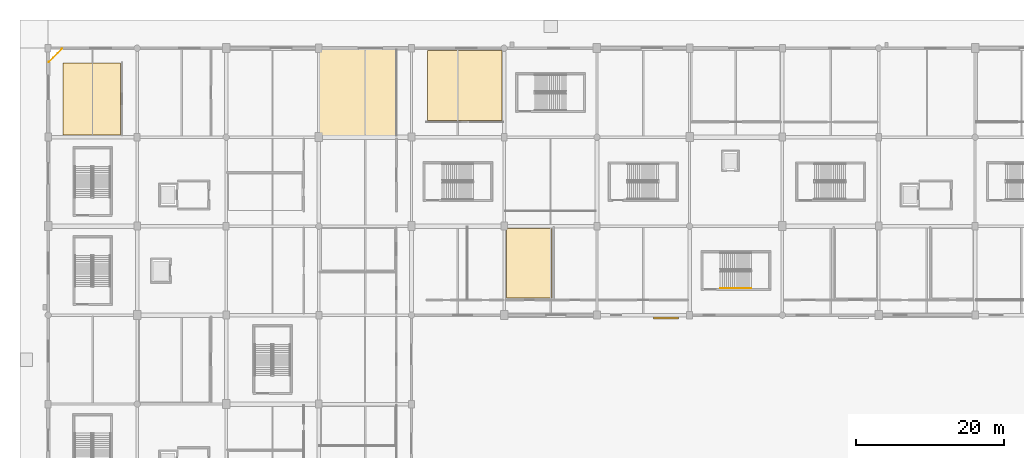
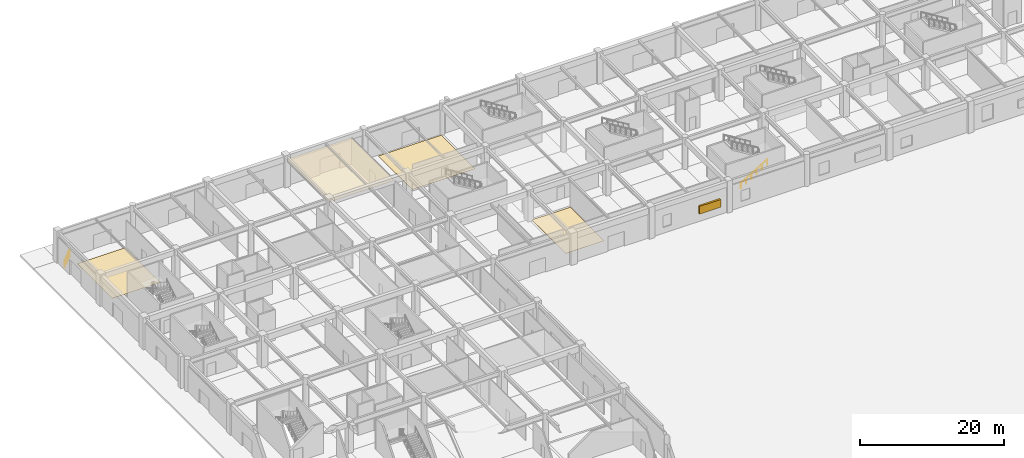
# One storey, part 62 of 69: 4 coverings, 2 railings, 1 shading device.
"""IFC4 building model written with IfcOpenShell, lengths in metres."""

from ifc_helpers import new_model, si_unit, direction, frame, origin, origin_2d, place, context, subcontext, project, spatial, polyline, rectangle, circle, outline, extrude, material, layer, layer_set, type_object, element, save


model = new_model("IFC4")

# Units and contexts
model_context = context("Model", 3, precision=1e-05, world=origin(), true_north=direction((0.0, 1.0)))
body_context = subcontext(model_context, "Body", "Model", "MODEL_VIEW")
ifc_project = project(units=[si_unit("LENGTHUNIT", "METRE"), si_unit("AREAUNIT", "SQUARE_METRE"), si_unit("VOLUMEUNIT", "CUBIC_METRE"), si_unit("PLANEANGLEUNIT", "RADIAN"), si_unit("MASSUNIT", "GRAM", prefix="KILO")], contexts=[model_context])

# Site, building, storey
site_placement = place(None, origin())
site = spatial("IfcSite", under=ifc_project, at=site_placement, CompositionType="ELEMENT")
building_placement = place(site_placement, origin())
building = spatial("IfcBuilding", under=site, at=building_placement, Name="Kazenohara Klinker Stadium", CompositionType="ELEMENT")
storey_placement = place(building_placement, origin())
storey = spatial("IfcBuildingStorey", under=building, at=storey_placement, Name="L00", CompositionType="ELEMENT", Elevation=0.0)

# Coverings
ifc_material_1 = material(Name="Perforated acoustic mineral-fibre ceiling tile", Category="gypsum")
ifc_layer_1 = layer(ifc_material_1, 0.030029296875)
ifc_layer_set_1 = layer_set([ifc_layer_1], Name="Perforated acoustic mineral-fibre ceiling tile")
covering_type_1 = type_object("IfcCoveringType", Name="COV-CEIL-01", PredefinedType="CEILING", material=ifc_layer_set_1)
covering_1_placement = place(storey_placement, frame((0.0, 0.0, 4.35009765625)))
element("IfcCovering", 1, at=covering_1_placement, inside=storey, type_object=covering_type_1, Name="Suspended acoustic ceiling CL01 Spectator First-Aid Medical Clinic L00-0313A", PredefinedType="CEILING", context=body_context, shape_type="SweptSolid", body=[
    extrude(outline(polyline([(36.56005859375, 156.0400390625), (46.989990234375, 156.0400390625), (46.989990234375, 167.9599609375), (36.56005859375, 167.9599609375), (36.56005859375, 156.0400390625)])), origin(), (0.0, 0.0, 1.0), 0.02978515625),
])
ifc_material_2 = material(Name="Slip-resistant honed basalt terrazzo flooring", Category="masonry")
ifc_layer_2 = layer(ifc_material_2, 0.02001953125)
ifc_layer_set_2 = layer_set([ifc_layer_2], Name="Slip-resistant honed basalt terrazzo flooring")
covering_type_2 = type_object("IfcCoveringType", Name="COV-FLR-01", PredefinedType="FLOORING", material=ifc_layer_set_2)
covering_2_placement = place(storey_placement, origin())
element("IfcCovering", 2, at=covering_2_placement, inside=storey, type_object=covering_type_2, Name="Interior floor finish FL01 Supporter Merchandising Retail Shop L00-0511A", PredefinedType="FLOORING", context=body_context, shape_type="SweptSolid", body=[
    extrude(outline(polyline([(61.81005859375, 134.280029296875), (67.9462890625, 134.280029296875), (67.9462890625, 143.669921875), (61.81005859375, 143.669921875), (61.81005859375, 134.280029296875)])), origin(), (0.0, 0.0, 1.0), 0.02001953125),
])
ifc_material_3 = material(Name="Cushioned EPDM sports rubber flooring", Category="rubber")
ifc_layer_3 = layer(ifc_material_3, 0.014892578125)
ifc_layer_set_3 = layer_set([ifc_layer_3], Name="Cushioned EPDM sports rubber flooring")
covering_type_3 = type_object("IfcCoveringType", Name="COV-FLR-02", PredefinedType="FLOORING", material=ifc_layer_set_3)
covering_3_placement = place(storey_placement, origin())
element("IfcCovering", 3, at=covering_3_placement, inside=storey, type_object=covering_type_3, Name="Interior floor finish FL02 Civic Stadium Heritage Museum Exhibition Gallery L00-0013A", PredefinedType="FLOORING", context=body_context, shape_type="SweptSolid", body=[
    extrude(outline(polyline([(2.0, 156.31005859375), (9.719970703125, 156.31005859375), (9.719970703125, 166.0), (2.0, 166.0), (2.0, 156.31005859375)])), origin(), (0.0, 0.0, 1.0), 0.014892578125),
])
covering_4_placement = place(storey_placement, origin())
element("IfcCovering", 4, at=covering_4_placement, inside=storey, type_object=covering_type_3, Name="Interior floor finish FL02 Supporter Merchandising Retail Shop L00-0413A", PredefinedType="FLOORING", context=body_context, shape_type="SweptSolid", body=[
    extrude(outline(polyline([(51.1201171875, 158.280029296875), (61.18994140625, 158.280029296875), (61.18994140625, 167.669921875), (51.1201171875, 167.669921875), (51.1201171875, 158.280029296875)])), origin(), (0.0, 0.0, 1.0), 0.014892578125),
])

# Railings
ifc_material_4 = material(Name="Galvanised powder-coated steel guardrail", Category="steel")
ifc_layer_4 = layer(ifc_material_4, 0.070068359375)
ifc_layer_set_4 = layer_set([ifc_layer_4], Name="Galvanised powder-coated steel guardrail")
railing_type_1 = type_object("IfcRailingType", Name="RL-GRD-1150", PredefinedType="GUARDRAIL", material=ifc_layer_set_4)
railing_1_placement = place(storey_placement, frame((1.8798828125, 167.919921875, 0.0)))
element("IfcRailing", 5, at=railing_1_placement, inside=storey, type_object=railing_type_1, Name="Corner chamfer slab-edge guardrail GR01-SLB-L00-00-13", PredefinedType="GUARDRAIL", context=body_context, shape_type="SweptSolid", body=[
    extrude(circle(Radius=0.02392578125, at=origin_2d()), frame((0.0, 0.0, 1.1259765625), z_axis=(-0.707106781187, -0.707106781187, 0.0), x_axis=(0.707106781187, -0.707106781187, 0.0)), (0.0, 0.0, 1.0), 2.54541015625),
    extrude(circle(Radius=0.02099609375, at=origin_2d()), origin(), (0.0, 0.0, 1.0), 1.101806640625),
    extrude(circle(Radius=0.02099609375, at=origin_2d()), frame((-0.599853515625, -0.599853515625, 0.0)), (0.0, 0.0, 1.0), 1.101806640625),
    extrude(circle(Radius=0.02099609375, at=origin_2d()), frame((-1.199951171875, -1.199951171875, 0.0)), (0.0, 0.0, 1.0), 1.101806640625),
    extrude(circle(Radius=0.02099609375, at=origin_2d()), frame((-1.7998046875, -1.7998046875, 0.0)), (0.0, 0.0, 1.0), 1.101806640625),
])
ifc_material_5 = material(Name="Brushed stainless steel 304 handrail", Category="steel")
ifc_layer_5 = layer(ifc_material_5, 0.050048828125)
ifc_layer_set_5 = layer_set([ifc_layer_5], Name="Brushed stainless steel 304 handrail")
railing_type_2 = type_object("IfcRailingType", Name="RL-HND-900", PredefinedType="HANDRAIL", material=ifc_layer_set_5)
railing_2_placement = place(storey_placement, frame((90.6201171875, 135.6201171875, 0.168701171875)))
element("IfcRailing", 6, at=railing_2_placement, inside=storey, type_object=railing_type_2, Name="L00 ST19 stair handrail 1", PredefinedType="HANDRAIL", context=body_context, shape_type="SweptSolid", body=[
    extrude(circle(Radius=0.02392578125, at=origin_2d()), frame((0.0, 0.0, 0.8759765625), z_axis=(0.856476492594, 0.0, 0.516186030065), x_axis=(0.0, 1.0, 0.0)), (0.0, 0.0, 1.0), 4.90380859375),
    extrude(circle(Radius=0.02099609375, at=origin_2d()), origin(), (0.0, 0.0, 1.0), 0.851806640625),
    extrude(circle(Radius=0.02099609375, at=origin_2d()), frame((0.840087890625, 0.0, 0.50634765625)), (0.0, 0.0, 1.0), 0.851806640625),
    extrude(circle(Radius=0.02099609375, at=origin_2d()), frame((1.679931640625, 0.0, 1.012451171875)), (0.0, 0.0, 1.0), 0.851806640625),
    extrude(circle(Radius=0.02099609375, at=origin_2d()), frame((2.52001953125, 0.0, 1.518798828125)), (0.0, 0.0, 1.0), 0.851806640625),
    extrude(circle(Radius=0.02099609375, at=origin_2d()), frame((3.35986328125, 0.0, 2.02490234375)), (0.0, 0.0, 1.0), 0.851806640625),
    extrude(circle(Radius=0.02099609375, at=origin_2d()), frame((4.199951171875, 0.0, 2.53125)), (0.0, 0.0, 1.0), 0.851806640625),
])

# Shading device
ifc_material_6 = material(Name="Perforated clinker-brick and bronze louvre grille", Category="masonry")
shading_device_type = type_object("IfcShadingDeviceType", Name="SHD-LOUV-01", PredefinedType="JALOUSIE", material=ifc_material_6)
shading_device_placement = place(storey_placement, frame((83.302001953125, 131.6298828125, 1.4501953125), z_axis=(0.0, 0.0, 1.0), x_axis=(1.0, 0.0, 0.0)))
element("IfcShadingDevice", 7, at=shading_device_placement, inside=storey, type_object=shading_device_type, Name="Perforated clinker-brick louvre screen LV01-03", PredefinedType="JALOUSIE", context=body_context, shape_type="SweptSolid", body=[
    extrude(rectangle(XDim=3.39990234375, YDim=0.300048828125, at=origin_2d()), origin(), (0.0, 0.0, 1.0), 1.300048828125),
])

save(model, "model.ifc")
